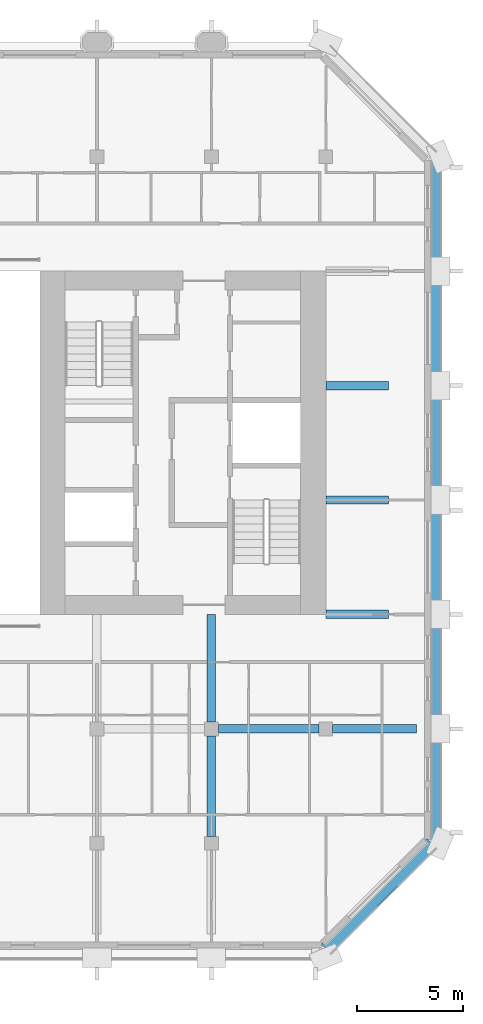
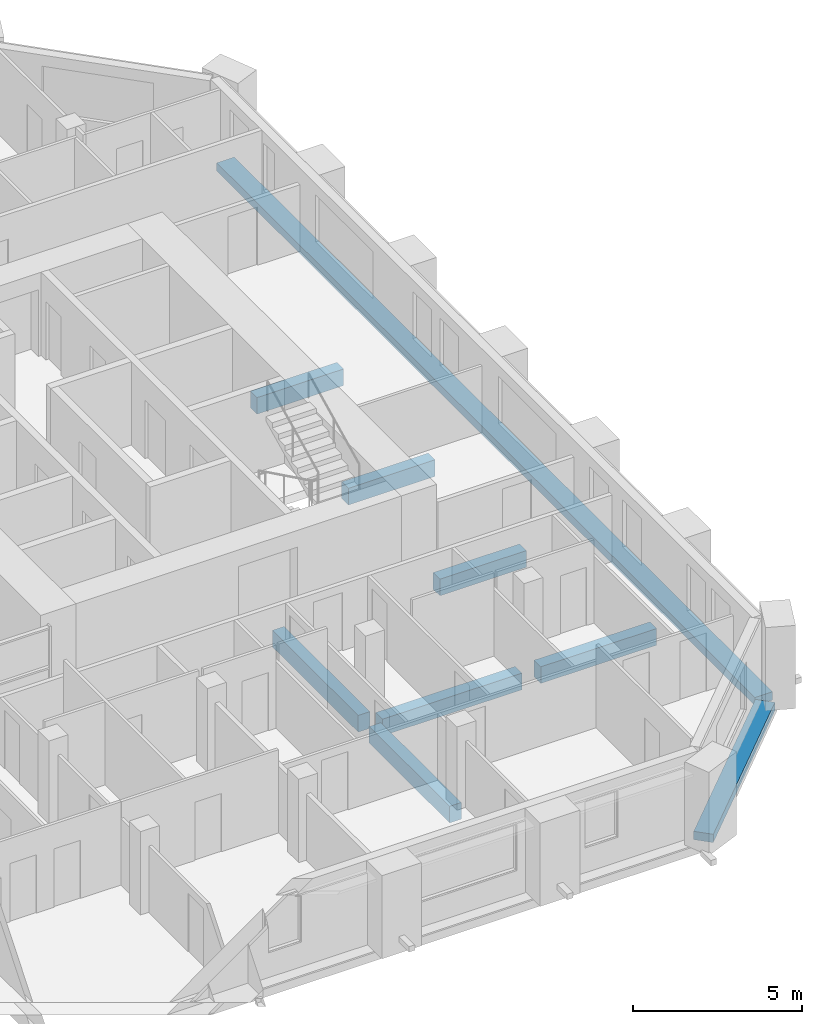
# One storey, part 3 of 13: 9 beams.
"""IFC4 building model written with IfcOpenShell, lengths in metres."""

from ifc_helpers import new_model, si_unit, direction, frame, origin, origin_2d, place, context, subcontext, project, spatial, rectangle, extrude, material, material_profile, profile_set, type_object, element, save


model = new_model("IFC4")

# Units and contexts
model_context = context("Model", 3, precision=1e-05, world=origin(), true_north=direction((0.0, 1.0)))
body_context = subcontext(model_context, "Body", "Model", "MODEL_VIEW")
ifc_project = project(units=[si_unit("LENGTHUNIT", "METRE"), si_unit("AREAUNIT", "SQUARE_METRE"), si_unit("VOLUMEUNIT", "CUBIC_METRE"), si_unit("PLANEANGLEUNIT", "RADIAN"), si_unit("MASSUNIT", "GRAM", prefix="KILO")], contexts=[model_context])

# Site, building, storey
site_placement = place(None, origin())
site = spatial("IfcSite", under=ifc_project, at=site_placement, CompositionType="ELEMENT")
building_placement = place(site_placement, origin())
building = spatial("IfcBuilding", under=site, at=building_placement, Name="Tabaq Tower and Sports Hall", CompositionType="ELEMENT")
storey_placement = place(building_placement, frame((0.0, 0.0, 271.89990234375)))
storey = spatial("IfcBuildingStorey", under=building, at=storey_placement, Name="L66", CompositionType="ELEMENT", Elevation=271.89990234375)

# Beams
ifc_material_1 = material(Name="Concrete C40/50", Category="concrete")
ifc_material_profile_1 = material_profile(ifc_material_1, rectangle(XDim=0.39990234375, YDim=0.60009765625, at=origin_2d()), Name="CB 400x600")
ifc_profile_set_1 = profile_set([ifc_material_profile_1], Name="Concrete C40/50")
beam_type_1 = type_object("IfcBeamType", Name="PT CANTILEVER BEAM CB 400x600 C40/50", PredefinedType="BEAM", material=ifc_profile_set_1)
beam_1_placement = place(storey_placement, frame((47.47509765625, 10.800048828125, -0.599853515625), z_axis=(-1.0, 0.0, 0.0), x_axis=(0.0, -1.0, 0.0)))
element("IfcBeam", 1, at=beam_1_placement, inside=storey, type_object=beam_type_1, Name="Cantilever Beam L66 E2 span 1", PredefinedType="BEAM", context=body_context, shape_type="SweptSolid", body=[
    extrude(rectangle(XDim=0.39990234375, YDim=0.60009765625, at=origin_2d()), origin(), (0.0, 0.0, 1.0), 3.9501953125),
])
beam_2_placement = place(storey_placement, frame((42.875, 10.800048828125, -0.599853515625), z_axis=(-1.0, 0.0, 0.0), x_axis=(0.0, -1.0, 0.0)))
element("IfcBeam", 2, at=beam_2_placement, inside=storey, type_object=beam_type_1, Name="Cantilever Beam L66 E2 span 2", PredefinedType="BEAM", context=body_context, shape_type="SweptSolid", body=[
    extrude(rectangle(XDim=0.39990234375, YDim=0.60009765625, at=origin_2d()), origin(), (0.0, 0.0, 1.0), 4.75),
])
for number, where, z_axis, x_axis, name in (
    (3, (46.14990234375, 16.199951171875, -0.599853515625), (-1.0, 0.0, 0.0), (0.0, -1.0, 0.0), "Cantilever Beam L66 E3 span 1"),
    (4, (46.14990234375, 21.60009765625, -0.599853515625), (-1.0, 0.0, 0.0), (0.0, -1.0, 0.0), "Cantilever Beam L66 E4 span 1"),
    (5, (46.14990234375, 27.0, -0.599853515625), (-1.0, 0.0, 0.0), (0.0, -1.0, 0.0), "Cantilever Beam L66 E5 span 1"),
):
    element("IfcBeam", number, at=place(storey_placement, frame(where, z_axis=z_axis, x_axis=x_axis)), inside=storey, type_object=beam_type_1, Name=name, PredefinedType="BEAM", context=body_context, shape_type="SweptSolid", body=[
        extrude(rectangle(XDim=0.39990234375, YDim=0.60009765625, at=origin_2d()), origin(), (0.0, 0.0, 1.0), 2.949951171875),
    ])
beam_3_placement = place(storey_placement, frame((37.800048828125, 5.72509765625, -0.599853515625), z_axis=(0.0, 1.0, 0.0), x_axis=(-1.0, 0.0, 0.0)))
element("IfcBeam", 6, at=beam_3_placement, inside=storey, type_object=beam_type_1, Name="Cantilever Beam L66 S7 span 2", PredefinedType="BEAM", context=body_context, shape_type="SweptSolid", body=[
    extrude(rectangle(XDim=0.39990234375, YDim=0.60009765625, at=origin_2d()), origin(), (0.0, 0.0, 1.0), 4.75),
])
beam_4_placement = place(storey_placement, frame((37.800048828125, 11.125, -0.599853515625), z_axis=(0.0, 1.0, 0.0), x_axis=(-1.0, 0.0, 0.0)))
element("IfcBeam", 7, at=beam_4_placement, inside=storey, type_object=beam_type_1, Name="Cantilever Beam L66 S7 span 3", PredefinedType="BEAM", context=body_context, shape_type="SweptSolid", body=[
    extrude(rectangle(XDim=0.39990234375, YDim=0.60009765625, at=origin_2d()), origin(), (0.0, 0.0, 1.0), 5.074951171875),
])
ifc_material_2 = material(Name="Concrete C40/50", Category="concrete")
ifc_material_profile_2 = material_profile(ifc_material_2, rectangle(XDim=0.60009765625, YDim=0.300048828125, at=origin_2d()), Name="EB 600x300")
ifc_profile_set_2 = profile_set([ifc_material_profile_2], Name="Concrete C40/50")
beam_type_2 = type_object("IfcBeamType", Name="PT EDGE BEAM EB 600x300 C40/50", PredefinedType="SPANDREL", material=ifc_profile_set_2)
beam_5_placement = place(storey_placement, frame((43.198974609375, 0.42333984375, -0.14990234375), z_axis=(0.707106781187, 0.707106781187, 0.0), x_axis=(-0.707106781187, 0.707106781187, 0.0)))
element("IfcBeam", 8, at=beam_5_placement, inside=storey, type_object=beam_type_2, Name="Edge Beam L66 2", PredefinedType="SPANDREL", context=body_context, shape_type="SweptSolid", body=[
    extrude(rectangle(XDim=0.60009765625, YDim=0.300048828125, at=origin_2d()), origin(), (0.0, 0.0, 1.0), 7.03955078125),
])
beam_6_placement = place(storey_placement, frame((48.300048828125, 5.698486328125, -0.14990234375), z_axis=(0.0, 1.0, 0.0), x_axis=(-1.0, 0.0, 0.0)))
element("IfcBeam", 9, at=beam_6_placement, inside=storey, type_object=beam_type_2, Name="Edge Beam L66 3", PredefinedType="SPANDREL", context=body_context, shape_type="SweptSolid", body=[
    extrude(rectangle(XDim=0.60009765625, YDim=0.300048828125, at=origin_2d()), origin(), (0.0, 0.0, 1.0), 31.802978515625),
])

save(model, "model.ifc")
